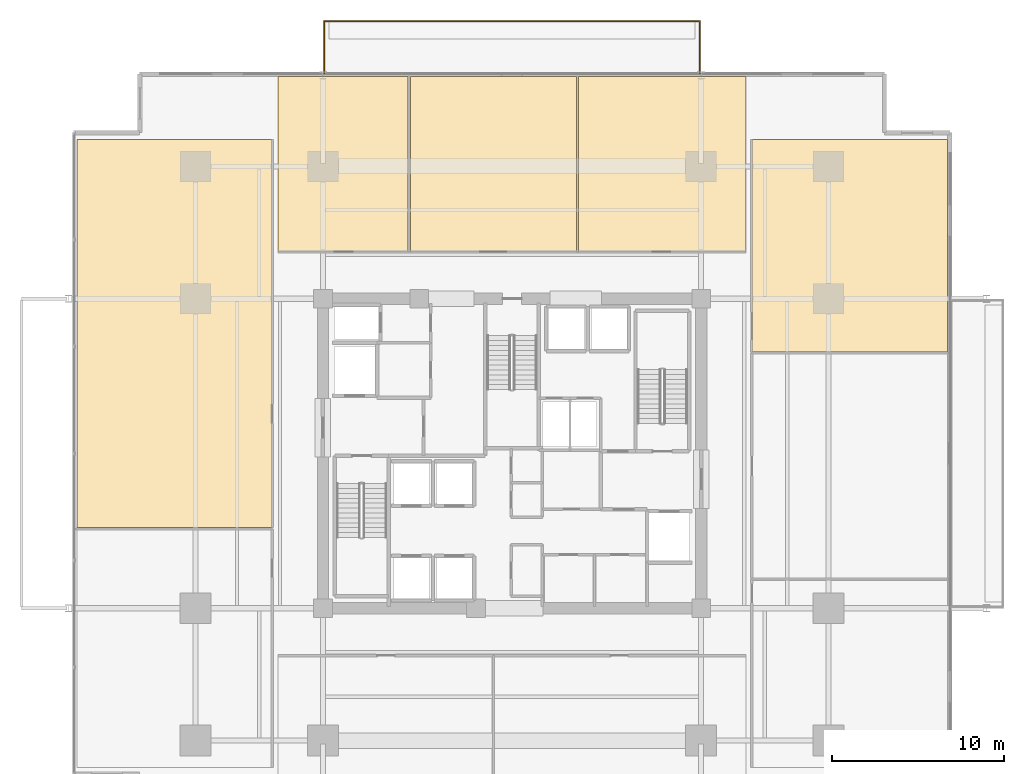
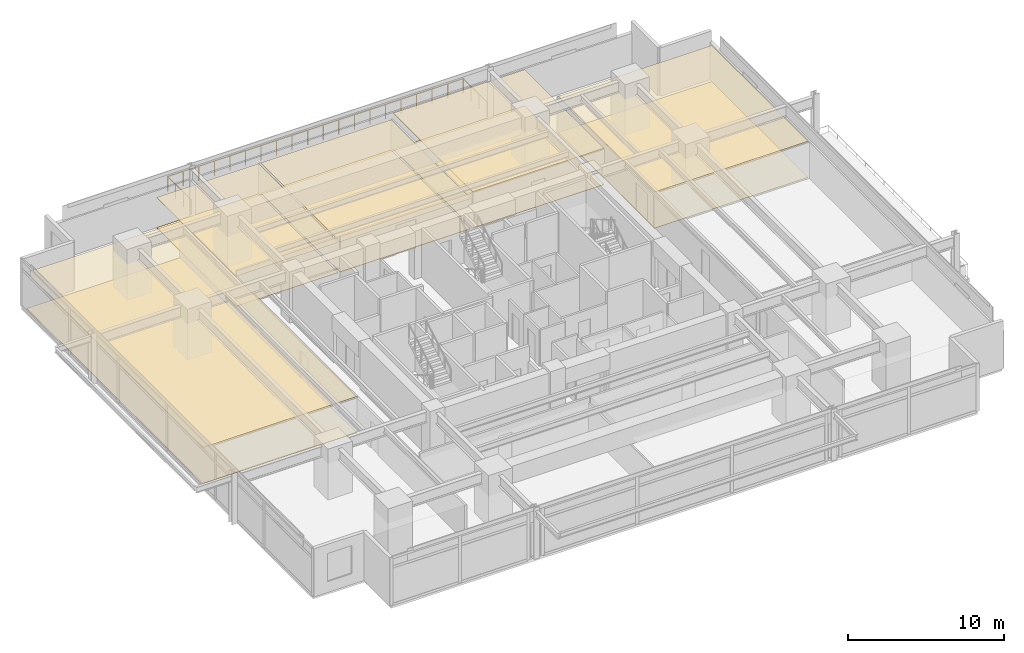
# One storey, part 21 of 21: 10 coverings, 1 railing.
"""IFC4 building model written with IfcOpenShell, lengths in metres."""

from ifc_helpers import new_model, si_unit, direction, frame, origin, origin_2d, place, context, subcontext, project, spatial, polyline, circle, outline, extrude, material, layer, layer_set, type_object, element, save


model = new_model("IFC4")

# Units and contexts
model_context = context("Model", 3, precision=1e-05, world=origin(), true_north=direction((0.0, 1.0)))
body_context = subcontext(model_context, "Body", "Model", "MODEL_VIEW")
ifc_project = project(units=[si_unit("LENGTHUNIT", "METRE"), si_unit("AREAUNIT", "SQUARE_METRE"), si_unit("VOLUMEUNIT", "CUBIC_METRE"), si_unit("PLANEANGLEUNIT", "RADIAN"), si_unit("MASSUNIT", "GRAM", prefix="KILO")], contexts=[model_context])

# Site, building, storey
site_placement = place(None, origin())
site = spatial("IfcSite", under=ifc_project, at=site_placement, CompositionType="ELEMENT")
building_placement = place(site_placement, origin())
building = spatial("IfcBuilding", under=site, at=building_placement, Name="Kovane Verandah Tower", CompositionType="ELEMENT")
storey_placement = place(building_placement, frame((0.0, 0.0, 47.60009765625)))
storey = spatial("IfcBuildingStorey", under=building, at=storey_placement, Name="L10", CompositionType="ELEMENT", Elevation=47.60009765625)

# Coverings
ifc_material_1 = material(Name="Perforated Acoustic Mineral-Fibre Ceiling Tile", Category="gypsum")
ifc_layer_1 = layer(ifc_material_1, 0.02490234375)
ifc_layer_set_1 = layer_set([ifc_layer_1], Name="Perforated Acoustic Mineral-Fibre Ceiling Tile")
covering_type_1 = type_object("IfcCoveringType", Name="CV-CEIL-25", PredefinedType="CEILING", material=ifc_layer_set_1)
covering_1_placement = place(storey_placement, frame((0.0, 0.0, 2.364990234375)))
element("IfcCovering", 1, at=covering_1_placement, inside=storey, type_object=covering_type_1, Name="L10 Executive Office N1 Acoustic Ceiling", PredefinedType="CEILING", context=body_context, shape_type="SweptSolid", body=[
    extrude(outline(polyline([(26.39990234375, 39.25), (33.946044921875, 39.25), (33.946044921875, 49.411376953125), (26.39990234375, 49.411376953125), (26.39990234375, 39.25)])), origin(), (0.0, 0.0, 1.0), 0.02490234375),
])
covering_2_placement = place(storey_placement, frame((0.0, 0.0, 2.364990234375)))
element("IfcCovering", 2, at=covering_2_placement, inside=storey, type_object=covering_type_1, Name="L10 Client Boardroom N2 Acoustic Ceiling", PredefinedType="CEILING", context=body_context, shape_type="SweptSolid", body=[
    extrude(outline(polyline([(34.0859375, 39.25), (43.738037109375, 39.25), (43.738037109375, 49.411376953125), (34.0859375, 49.411376953125), (34.0859375, 39.25)])), origin(), (0.0, 0.0, 1.0), 0.02490234375),
])
covering_3_placement = place(storey_placement, frame((0.0, 0.0, 2.824951171875)))
element("IfcCovering", 3, at=covering_3_placement, inside=storey, type_object=covering_type_1, Name="L10 Meeting Room N3 Acoustic Ceiling", PredefinedType="CEILING", context=body_context, shape_type="SweptSolid", body=[
    extrude(outline(polyline([(43.8779296875, 39.25), (53.60009765625, 39.25), (53.60009765625, 49.411376953125), (43.8779296875, 49.411376953125), (43.8779296875, 39.25)])), origin(), (0.0, 0.0, 1.0), 0.02490234375),
])
covering_4_placement = place(storey_placement, frame((0.0, 0.0, 2.824951171875)))
element("IfcCovering", 4, at=covering_4_placement, inside=storey, type_object=covering_type_1, Name="L10 Document and Print Room W2 Acoustic Ceiling", PredefinedType="CEILING", context=body_context, shape_type="SweptSolid", body=[
    extrude(outline(polyline([(14.69091796875, 23.187255859375), (26.050048828125, 23.187255859375), (26.050048828125, 45.76123046875), (14.69091796875, 45.76123046875), (14.69091796875, 23.187255859375)])), origin(), (0.0, 0.0, 1.0), 0.02490234375),
])
covering_5_placement = place(storey_placement, frame((0.0, 0.0, 2.824951171875)))
element("IfcCovering", 5, at=covering_5_placement, inside=storey, type_object=covering_type_1, Name="L10 Client Boardroom E3 Acoustic Ceiling", PredefinedType="CEILING", context=body_context, shape_type="SweptSolid", body=[
    extrude(outline(polyline([(53.949951171875, 33.41357421875), (65.30908203125, 33.41357421875), (65.30908203125, 45.76123046875), (53.949951171875, 45.76123046875), (53.949951171875, 33.41357421875)])), origin(), (0.0, 0.0, 1.0), 0.02490234375),
])
ifc_material_2 = material(Name="Polished Terrazzo and Raised-Access Carpet Tile Finish", Category="concrete")
ifc_layer_2 = layer(ifc_material_2, 0.030029296875)
ifc_layer_set_2 = layer_set([ifc_layer_2], Name="Polished Terrazzo and Raised-Access Carpet Tile Finish")
covering_type_2 = type_object("IfcCoveringType", Name="CV-FLOR-30", PredefinedType="FLOORING", material=ifc_layer_set_2)
covering_6_placement = place(storey_placement, origin())
element("IfcCovering", 6, at=covering_6_placement, inside=storey, type_object=covering_type_2, Name="L10 Executive Office N1 Floor Finish", PredefinedType="FLOORING", context=body_context, shape_type="SweptSolid", body=[
    extrude(outline(polyline([(26.39990234375, 39.25), (33.946044921875, 39.25), (33.946044921875, 49.411376953125), (26.39990234375, 49.411376953125), (26.39990234375, 39.25)])), origin(), (0.0, 0.0, 1.0), 0.02978515625),
])
covering_7_placement = place(storey_placement, origin())
element("IfcCovering", 7, at=covering_7_placement, inside=storey, type_object=covering_type_2, Name="L10 Client Boardroom N2 Floor Finish", PredefinedType="FLOORING", context=body_context, shape_type="SweptSolid", body=[
    extrude(outline(polyline([(34.0859375, 39.25), (43.738037109375, 39.25), (43.738037109375, 49.411376953125), (34.0859375, 49.411376953125), (34.0859375, 39.25)])), origin(), (0.0, 0.0, 1.0), 0.02978515625),
])
covering_8_placement = place(storey_placement, origin())
element("IfcCovering", 8, at=covering_8_placement, inside=storey, type_object=covering_type_2, Name="L10 Meeting Room N3 Floor Finish", PredefinedType="FLOORING", context=body_context, shape_type="SweptSolid", body=[
    extrude(outline(polyline([(43.8779296875, 39.25), (53.60009765625, 39.25), (53.60009765625, 49.411376953125), (43.8779296875, 49.411376953125), (43.8779296875, 39.25)])), origin(), (0.0, 0.0, 1.0), 0.02978515625),
])
covering_9_placement = place(storey_placement, origin())
element("IfcCovering", 9, at=covering_9_placement, inside=storey, type_object=covering_type_2, Name="L10 Document and Print Room W2 Floor Finish", PredefinedType="FLOORING", context=body_context, shape_type="SweptSolid", body=[
    extrude(outline(polyline([(14.69091796875, 23.187255859375), (26.050048828125, 23.187255859375), (26.050048828125, 45.76123046875), (14.69091796875, 45.76123046875), (14.69091796875, 23.187255859375)])), origin(), (0.0, 0.0, 1.0), 0.02978515625),
])
covering_10_placement = place(storey_placement, origin())
element("IfcCovering", 10, at=covering_10_placement, inside=storey, type_object=covering_type_2, Name="L10 Client Boardroom E3 Floor Finish", PredefinedType="FLOORING", context=body_context, shape_type="SweptSolid", body=[
    extrude(outline(polyline([(53.949951171875, 33.41357421875), (65.30908203125, 33.41357421875), (65.30908203125, 45.76123046875), (53.949951171875, 45.76123046875), (53.949951171875, 33.41357421875)])), origin(), (0.0, 0.0, 1.0), 0.02978515625),
])

# Railing
ifc_material_3 = material(Name="Laminated Glass and Pale-Champagne Stainless Balustrade", Category="glass")
railing_type = type_object("IfcRailingType", Name="RL-BAL-1150", PredefinedType="BALUSTRADE", material=ifc_material_3)
railing_placement = place(storey_placement, frame((29.080078125, 49.611328125, 0.0)))
element("IfcRailing", 11, at=railing_placement, inside=storey, type_object=railing_type, Name="L10 N Verandah Glass Balustrade", PredefinedType="BALUSTRADE", context=body_context, shape_type="SweptSolid", body=[
    extrude(circle(Radius=0.02392578125, at=origin_2d()), frame((0.0, 0.0, 1.1259765625), z_axis=(0.0, 1.0, 0.0), x_axis=(-1.0, 0.0, 0.0)), (0.0, 0.0, 1.0), 3.02001953125),
    extrude(circle(Radius=0.02392578125, at=origin_2d()), frame((0.0, 3.02001953125, 1.1259765625), z_axis=(1.0, 0.0, 0.0), x_axis=(0.0, 1.0, 0.0)), (0.0, 0.0, 1.0), 21.83984375),
    extrude(circle(Radius=0.02392578125, at=origin_2d()), frame((21.83984375, 3.02001953125, 1.1259765625), z_axis=(0.0, -1.0, 0.0), x_axis=(1.0, 0.0, 0.0)), (0.0, 0.0, 1.0), 3.02001953125),
    extrude(circle(Radius=0.02099609375, at=origin_2d()), origin(), (0.0, 0.0, 1.0), 1.101806640625),
    extrude(circle(Radius=0.02099609375, at=origin_2d()), frame((0.0, 1.006591796875, 0.0)), (0.0, 0.0, 1.0), 1.101806640625),
    extrude(circle(Radius=0.02099609375, at=origin_2d()), frame((0.0, 2.013427734375, 0.0)), (0.0, 0.0, 1.0), 1.101806640625),
    extrude(circle(Radius=0.02099609375, at=origin_2d()), frame((0.0, 3.02001953125, 0.0)), (0.0, 0.0, 1.0), 1.101806640625),
    extrude(circle(Radius=0.02099609375, at=origin_2d()), frame((1.1494140625, 3.02001953125, 0.0)), (0.0, 0.0, 1.0), 1.101806640625),
    extrude(circle(Radius=0.02099609375, at=origin_2d()), frame((2.298828125, 3.02001953125, 0.0)), (0.0, 0.0, 1.0), 1.101806640625),
    extrude(circle(Radius=0.02099609375, at=origin_2d()), frame((3.448486328125, 3.02001953125, 0.0)), (0.0, 0.0, 1.0), 1.101806640625),
    extrude(circle(Radius=0.02099609375, at=origin_2d()), frame((4.597900390625, 3.02001953125, 0.0)), (0.0, 0.0, 1.0), 1.101806640625),
    extrude(circle(Radius=0.02099609375, at=origin_2d()), frame((5.747314453125, 3.02001953125, 0.0)), (0.0, 0.0, 1.0), 1.101806640625),
    extrude(circle(Radius=0.02099609375, at=origin_2d()), frame((6.896728515625, 3.02001953125, 0.0)), (0.0, 0.0, 1.0), 1.101806640625),
    extrude(circle(Radius=0.02099609375, at=origin_2d()), frame((8.046142578125, 3.02001953125, 0.0)), (0.0, 0.0, 1.0), 1.101806640625),
    extrude(circle(Radius=0.02099609375, at=origin_2d()), frame((9.19580078125, 3.02001953125, 0.0)), (0.0, 0.0, 1.0), 1.101806640625),
    extrude(circle(Radius=0.02099609375, at=origin_2d()), frame((10.34521484375, 3.02001953125, 0.0)), (0.0, 0.0, 1.0), 1.101806640625),
    extrude(circle(Radius=0.02099609375, at=origin_2d()), frame((11.49462890625, 3.02001953125, 0.0)), (0.0, 0.0, 1.0), 1.101806640625),
    extrude(circle(Radius=0.02099609375, at=origin_2d()), frame((12.64404296875, 3.02001953125, 0.0)), (0.0, 0.0, 1.0), 1.101806640625),
    extrude(circle(Radius=0.02099609375, at=origin_2d()), frame((13.793701171875, 3.02001953125, 0.0)), (0.0, 0.0, 1.0), 1.101806640625),
    extrude(circle(Radius=0.02099609375, at=origin_2d()), frame((14.943115234375, 3.02001953125, 0.0)), (0.0, 0.0, 1.0), 1.101806640625),
    extrude(circle(Radius=0.02099609375, at=origin_2d()), frame((16.092529296875, 3.02001953125, 0.0)), (0.0, 0.0, 1.0), 1.101806640625),
    extrude(circle(Radius=0.02099609375, at=origin_2d()), frame((17.241943359375, 3.02001953125, 0.0)), (0.0, 0.0, 1.0), 1.101806640625),
    extrude(circle(Radius=0.02099609375, at=origin_2d()), frame((18.391357421875, 3.02001953125, 0.0)), (0.0, 0.0, 1.0), 1.101806640625),
    extrude(circle(Radius=0.02099609375, at=origin_2d()), frame((19.541015625, 3.02001953125, 0.0)), (0.0, 0.0, 1.0), 1.101806640625),
    extrude(circle(Radius=0.02099609375, at=origin_2d()), frame((20.6904296875, 3.02001953125, 0.0)), (0.0, 0.0, 1.0), 1.101806640625),
    extrude(circle(Radius=0.02099609375, at=origin_2d()), frame((21.83984375, 3.02001953125, 0.0)), (0.0, 0.0, 1.0), 1.101806640625),
    extrude(circle(Radius=0.02099609375, at=origin_2d()), frame((21.83984375, 2.013427734375, 0.0)), (0.0, 0.0, 1.0), 1.101806640625),
    extrude(circle(Radius=0.02099609375, at=origin_2d()), frame((21.83984375, 1.006591796875, 0.0)), (0.0, 0.0, 1.0), 1.101806640625),
    extrude(circle(Radius=0.02099609375, at=origin_2d()), frame((21.83984375, 0.0, 0.0)), (0.0, 0.0, 1.0), 1.101806640625),
])

save(model, "model.ifc")
